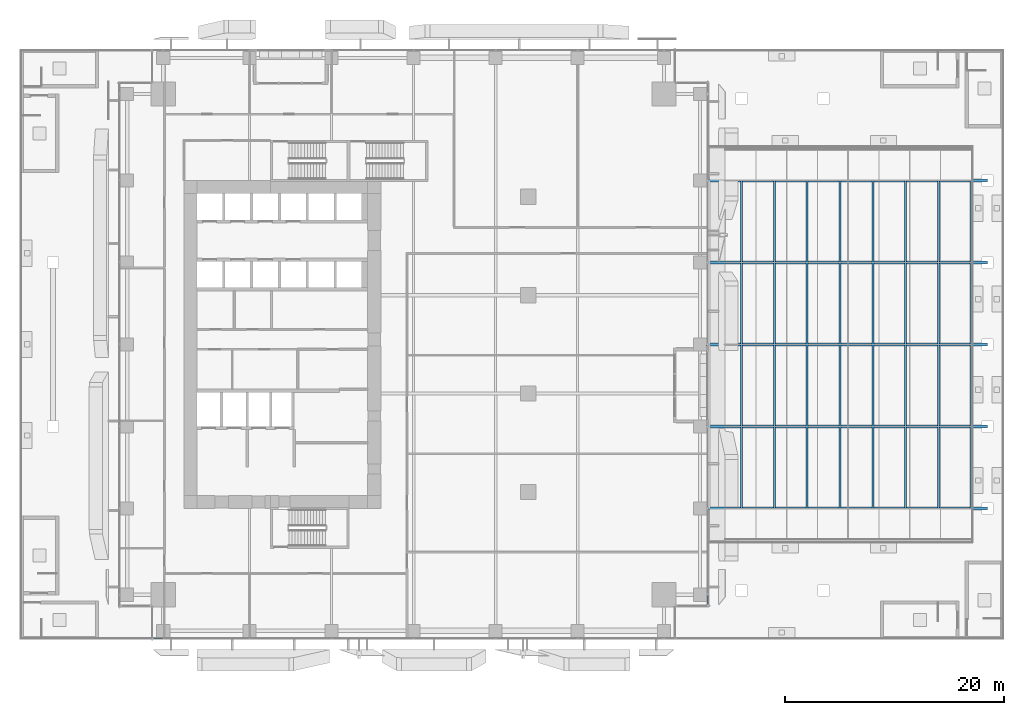
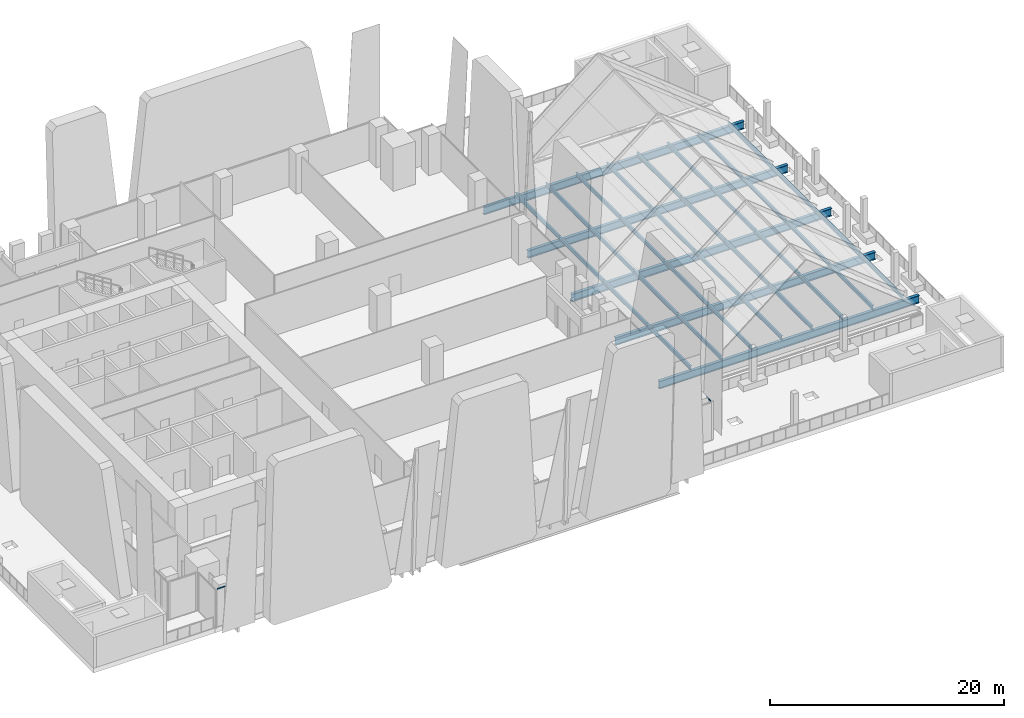
# One storey, part 24 of 46: 39 members, 2 elements without a shape of their own.
"""IFC4 building model written with IfcOpenShell, lengths in metres."""

from ifc_helpers import new_model, si_unit, direction, frame, origin, origin_2d, place, context, subcontext, project, spatial, hollow_rectangle, i_section, extrude, source, transform, mapped, material, material_profile, profile_set, type_object, element, aggregate, save


model = new_model("IFC4")

# Units and contexts
model_context = context("Model", 3, precision=1e-05, world=origin(), true_north=direction((0.0, 1.0)))
body_context = subcontext(model_context, "Body", "Model", "MODEL_VIEW")
ifc_project = project(units=[si_unit("LENGTHUNIT", "METRE"), si_unit("AREAUNIT", "SQUARE_METRE"), si_unit("VOLUMEUNIT", "CUBIC_METRE"), si_unit("PLANEANGLEUNIT", "RADIAN"), si_unit("MASSUNIT", "GRAM", prefix="KILO")], contexts=[model_context])

# Site, building, storey
site_placement = place(None, origin())
site = spatial("IfcSite", under=ifc_project, at=site_placement, CompositionType="ELEMENT")
building_placement = place(site_placement, origin())
building = spatial("IfcBuilding", under=site, at=building_placement, Name="Khomas Fold Tower", CompositionType="ELEMENT")
storey_placement = place(building_placement, frame((0.0, 0.0, 33.0)))
storey = spatial("IfcBuildingStorey", under=building, at=storey_placement, Name="L06", CompositionType="ELEMENT", Elevation=33.0)

# Curtain wall, member
ifc_material_1 = material(Name="Aluminium framed double glazing", Category="aluminium")
curtain_wall_type = type_object("IfcCurtainWallType", Name="SK-Unitised clear-glass wall, growing floors CW1", PredefinedType="NOTDEFINED", material=ifc_material_1)
curtain_wall_1_placement = place(storey_placement, origin())
curtain_wall_1 = element("IfcCurtainWall", 1, at=curtain_wall_1_placement, inside=storey, type_object=curtain_wall_type, Name="CW1 run L06 00-0", PredefinedType="NOTDEFINED")
ifc_material_2 = material(Name="Aluminium", Category="aluminium")
ifc_material_profile_1 = material_profile(ifc_material_2, hollow_rectangle(XDim=0.06005859375, YDim=0.1201171875, WallThickness=0.00390625, at=origin_2d()), Name="SK-Unitised clear-glass wall, growing floors transom CW1-T")
ifc_profile_set_1 = profile_set([ifc_material_profile_1], Name="Aluminium")
member_type_1 = type_object("IfcMemberType", Name="SK-Unitised clear-glass wall, growing floors transom CW1-T", PredefinedType="USERDEFINED", material=ifc_profile_set_1)
shared_shape_1 = source(origin(), body_context, "Body", "SweptSolid", [
    extrude(hollow_rectangle(XDim=0.06005859375, YDim=0.1201171875, WallThickness=0.00390625, at=origin_2d()), origin(), (0.0, 0.0, 1.0), 0.81005859375),
])
member_1_placement = place(storey_placement, frame((3.260009765625, 0.10009765625, 3.93994140625), z_axis=(1.0, 0.0, 0.0), x_axis=(0.0, 1.0, 0.0)))
member_1 = element("IfcMember", 2, at=member_1_placement, type_object=member_type_1, Name="CW1 transom 1", ObjectType="TRANSOM", PredefinedType="USERDEFINED", context=body_context, shape_type="MappedRepresentation", body=[
    mapped(shared_shape_1, transform((0.0, 0.0, 0.0))),
])
aggregate(curtain_wall_1, [member_1])

curtain_wall_2_placement = place(storey_placement, origin())
curtain_wall_2 = element("IfcCurtainWall", 3, at=curtain_wall_2_placement, inside=storey, type_object=curtain_wall_type, Name="CW1 run L06 03-0", PredefinedType="NOTDEFINED")
member_2_placement = place(storey_placement, frame((53.89990234375, 3.260009765625, 3.93994140625), z_axis=(0.0, 1.0, 0.0), x_axis=(-1.0, 0.0, 0.0)))
member_2 = element("IfcMember", 4, at=member_2_placement, type_object=member_type_1, Name="CW1 transom 1", ObjectType="TRANSOM", PredefinedType="USERDEFINED", context=body_context, shape_type="MappedRepresentation", body=[
    mapped(shared_shape_1, transform((0.0, 0.0, 0.0))),
])
aggregate(curtain_wall_2, [member_2])

# Members
ifc_material_3 = material(Name="Steel S460M", Category="steel")
ifc_material_profile_2 = material_profile(ifc_material_3, i_section(OverallWidth=0.300048828125, OverallDepth=0.800048828125, WebThickness=0.017578125, FlangeThickness=0.032958984375, at=origin_2d()), Name="HE 800 B")
ifc_profile_set_2 = profile_set([ifc_material_profile_2], Name="Steel S460M")
member_type_2 = type_object("IfcMemberType", Name="HE 800 B userdefined RF-A", PredefinedType="USERDEFINED", material=ifc_profile_set_2)
shared_shape_2 = source(origin(), body_context, "Body", "SweptSolid", [
    extrude(i_section(OverallWidth=0.300048828125, OverallDepth=0.800048828125, WebThickness=0.017578125, FlangeThickness=0.032958984375, at=origin_2d()), origin(), (0.0, 0.0, 1.0), 25.699951171875),
])
for number, where, z_axis, x_axis, name in (
    (5, (53.800048828125, 12.0, 0.39990234375), (1.0, 0.0, 0.0), (0.0, 1.0, 0.0), "Rooflight rafter 1"),
    (6, (53.800048828125, 19.5, 0.39990234375), (1.0, 0.0, 0.0), (0.0, 1.0, 0.0), "Rooflight rafter 2"),
    (7, (53.800048828125, 27.0, 0.39990234375), (1.0, 0.0, 0.0), (0.0, 1.0, 0.0), "Rooflight rafter 3"),
    (8, (53.800048828125, 34.5, 0.39990234375), (1.0, 0.0, 0.0), (0.0, 1.0, 0.0), "Rooflight rafter 4"),
    (9, (53.800048828125, 42.0, 0.39990234375), (1.0, 0.0, 0.0), (0.0, 1.0, 0.0), "Rooflight rafter 5"),
):
    element("IfcMember", number, at=place(storey_placement, frame(where, z_axis=z_axis, x_axis=x_axis)), inside=storey, type_object=member_type_2, Name=name, ObjectType="RAFTER", PredefinedType="USERDEFINED", context=body_context, shape_type="MappedRepresentation", body=[
        mapped(shared_shape_2, transform((0.0, 0.0, 0.0))),
    ])
ifc_material_4 = material(Name="Steel S355", Category="steel")
ifc_material_profile_3 = material_profile(ifc_material_4, i_section(OverallWidth=0.179931640625, OverallDepth=0.39990234375, WebThickness=0.008544921875, FlangeThickness=0.013427734375, at=origin_2d()), Name="IPE 400")
ifc_profile_set_3 = profile_set([ifc_material_profile_3], Name="Steel S355")
member_type_3 = type_object("IfcMemberType", Name="IPE 400 userdefined RF-P", PredefinedType="USERDEFINED", material=ifc_profile_set_3)
shared_shape_3 = source(origin(), body_context, "Body", "SweptSolid", [
    extrude(i_section(OverallWidth=0.179931640625, OverallDepth=0.39990234375, WebThickness=0.008544921875, FlangeThickness=0.013427734375, at=origin_2d()), origin(), (0.0, 0.0, 1.0), 7.5),
])
for number, where, z_axis, x_axis, name in (
    (10, (57.0, 12.0, 1.0), (0.0, 1.0, 0.0), (-1.0, 0.0, 0.0), "Rooflight purlin"),
    (11, (57.0, 19.5, 1.0), (0.0, 1.0, 0.0), (-1.0, 0.0, 0.0), "Rooflight purlin"),
    (12, (57.0, 27.0, 1.0), (0.0, 1.0, 0.0), (-1.0, 0.0, 0.0), "Rooflight purlin"),
    (13, (57.0, 34.5, 1.0), (0.0, 1.0, 0.0), (-1.0, 0.0, 0.0), "Rooflight purlin"),
    (14, (60.0, 12.0, 1.0), (0.0, 1.0, 0.0), (-1.0, 0.0, 0.0), "Rooflight purlin"),
    (15, (60.0, 19.5, 1.0), (0.0, 1.0, 0.0), (-1.0, 0.0, 0.0), "Rooflight purlin"),
    (16, (60.0, 27.0, 1.0), (0.0, 1.0, 0.0), (-1.0, 0.0, 0.0), "Rooflight purlin"),
    (17, (60.0, 34.5, 1.0), (0.0, 1.0, 0.0), (-1.0, 0.0, 0.0), "Rooflight purlin"),
    (18, (63.0, 12.0, 1.0), (0.0, 1.0, 0.0), (-1.0, 0.0, 0.0), "Rooflight purlin"),
    (19, (63.0, 19.5, 1.0), (0.0, 1.0, 0.0), (-1.0, 0.0, 0.0), "Rooflight purlin"),
    (20, (63.0, 27.0, 1.0), (0.0, 1.0, 0.0), (-1.0, 0.0, 0.0), "Rooflight purlin"),
    (21, (63.0, 34.5, 1.0), (0.0, 1.0, 0.0), (-1.0, 0.0, 0.0), "Rooflight purlin"),
    (22, (66.0, 12.0, 1.0), (0.0, 1.0, 0.0), (-1.0, 0.0, 0.0), "Rooflight purlin"),
    (23, (66.0, 19.5, 1.0), (0.0, 1.0, 0.0), (-1.0, 0.0, 0.0), "Rooflight purlin"),
    (24, (66.0, 27.0, 1.0), (0.0, 1.0, 0.0), (-1.0, 0.0, 0.0), "Rooflight purlin"),
    (25, (66.0, 34.5, 1.0), (0.0, 1.0, 0.0), (-1.0, 0.0, 0.0), "Rooflight purlin"),
    (26, (69.0, 12.0, 1.0), (0.0, 1.0, 0.0), (-1.0, 0.0, 0.0), "Rooflight purlin"),
    (27, (69.0, 19.5, 1.0), (0.0, 1.0, 0.0), (-1.0, 0.0, 0.0), "Rooflight purlin"),
    (28, (69.0, 27.0, 1.0), (0.0, 1.0, 0.0), (-1.0, 0.0, 0.0), "Rooflight purlin"),
    (29, (69.0, 34.5, 1.0), (0.0, 1.0, 0.0), (-1.0, 0.0, 0.0), "Rooflight purlin"),
    (30, (72.0, 12.0, 1.0), (0.0, 1.0, 0.0), (-1.0, 0.0, 0.0), "Rooflight purlin"),
    (31, (72.0, 19.5, 1.0), (0.0, 1.0, 0.0), (-1.0, 0.0, 0.0), "Rooflight purlin"),
    (32, (72.0, 27.0, 1.0), (0.0, 1.0, 0.0), (-1.0, 0.0, 0.0), "Rooflight purlin"),
    (33, (72.0, 34.5, 1.0), (0.0, 1.0, 0.0), (-1.0, 0.0, 0.0), "Rooflight purlin"),
    (34, (75.0, 12.0, 1.0), (0.0, 1.0, 0.0), (-1.0, 0.0, 0.0), "Rooflight purlin"),
    (35, (75.0, 19.5, 1.0), (0.0, 1.0, 0.0), (-1.0, 0.0, 0.0), "Rooflight purlin"),
    (36, (75.0, 27.0, 1.0), (0.0, 1.0, 0.0), (-1.0, 0.0, 0.0), "Rooflight purlin"),
    (37, (75.0, 34.5, 1.0), (0.0, 1.0, 0.0), (-1.0, 0.0, 0.0), "Rooflight purlin"),
    (38, (78.0, 12.0, 1.0), (0.0, 1.0, 0.0), (-1.0, 0.0, 0.0), "Rooflight purlin"),
    (39, (78.0, 19.5, 1.0), (0.0, 1.0, 0.0), (-1.0, 0.0, 0.0), "Rooflight purlin"),
    (40, (78.0, 27.0, 1.0), (0.0, 1.0, 0.0), (-1.0, 0.0, 0.0), "Rooflight purlin"),
    (41, (78.0, 34.5, 1.0), (0.0, 1.0, 0.0), (-1.0, 0.0, 0.0), "Rooflight purlin"),
):
    element("IfcMember", number, at=place(storey_placement, frame(where, z_axis=z_axis, x_axis=x_axis)), inside=storey, type_object=member_type_3, Name=name, ObjectType="PURLIN", PredefinedType="USERDEFINED", context=body_context, shape_type="MappedRepresentation", body=[
        mapped(shared_shape_3, transform((0.0, 0.0, 0.0))),
    ])

save(model, "model.ifc")
